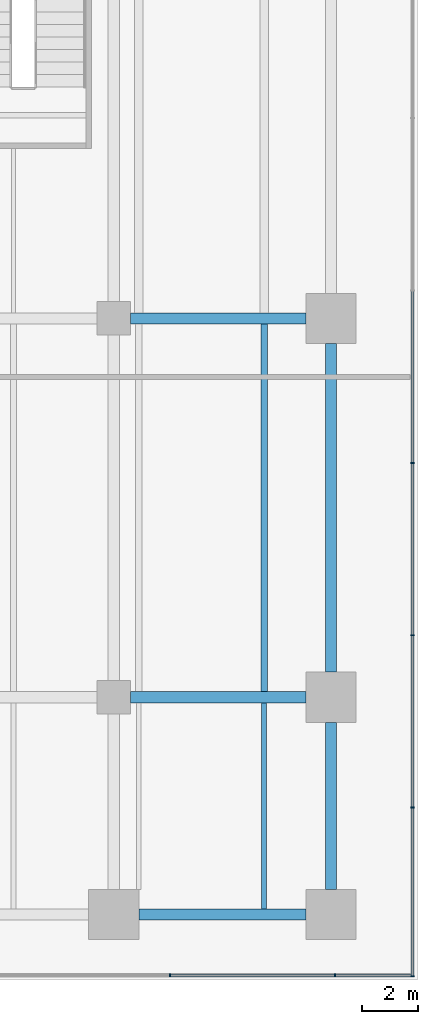
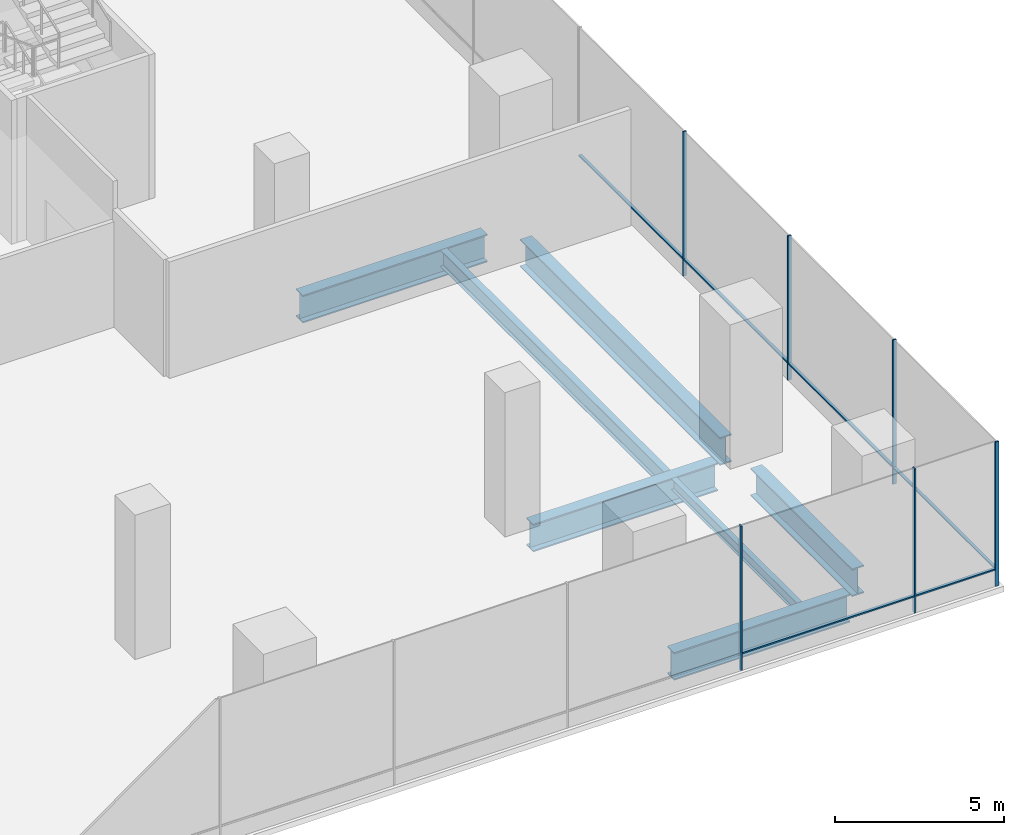
# One storey, part 15 of 26: 12 members, 7 beams, 2 elements without a shape of their own.
"""IFC4 building model written with IfcOpenShell, lengths in metres."""

import ifcopenshell
import ifcopenshell.guid

model = None  # the IFC model being written
_history = None  # IfcOwnerHistory: only IFC2X3 demands one
_inside = {}  # id of a spatial element -> (the spatial element, [elements in it])
_under = {}  # id of a project, library or spatial element -> (it, [spatial elements below it])
_declared = {}  # id of a project -> (the project, [libraries it declares])
_typed = {}  # id of a type object -> (the type object, [elements of that type])
_made_of = {}  # id of a material, layer set ... -> (it, [elements and type objects made of it])


def new_model(schema):
    """Start an empty IFC model of exactly this schema.

    Asked for "IFC4X3", IfcOpenShell would pick the latest addendum, in which some entities
    have other attributes; the version numbers below select the first issue.
    IFC2X3 requires an IfcOwnerHistory on every rooted entity: one is made here for all.
    """
    global model, _history
    if schema == "IFC4X3":
        model = ifcopenshell.file(schema_version=(4, 3, 0, 0))
    else:
        model = ifcopenshell.file(schema=schema)
    _inside.clear()
    _under.clear()
    _declared.clear()
    _typed.clear()
    _made_of.clear()
    _history = None
    if model.schema == "IFC2X3":
        org = make("IfcOrganization", Name="unknown")
        user = make(
            "IfcPersonAndOrganization",
            ThePerson=make("IfcPerson", FamilyName="unknown"),
            TheOrganization=org,
        )
        app = make(
            "IfcApplication",
            ApplicationDeveloper=org,
            Version="unknown",
            ApplicationFullName="unknown",
            ApplicationIdentifier="unknown",
        )
        _history = make(
            "IfcOwnerHistory",
            OwningUser=user,
            OwningApplication=app,
            ChangeAction="ADDED",
            CreationDate=0,
        )
    return model


def make(cls, **values):
    """One entity of the class cls with the attributes given. An attribute that is None is left unset."""
    return model.create_entity(
        cls, **{name: value for name, value in values.items() if value is not None}
    )


def rooted(cls, **values):
    """An entity with a GlobalId (a new one), such as an element, a storey or a relation."""
    return make(cls, GlobalId=ifcopenshell.guid.new(), OwnerHistory=_history, **values)


def si_unit(unit_type, name, prefix=None):
    """IfcSIUnit, for example si_unit("LENGTHUNIT", "METRE", prefix="MILLI")."""
    return make("IfcSIUnit", UnitType=unit_type, Prefix=prefix, Name=name)


def assignment(units):
    """IfcUnitAssignment: the units of a project."""
    return None if units is None else make("IfcUnitAssignment", Units=units)


def point(xyz):
    """IfcCartesianPoint."""
    return None if xyz is None else make("IfcCartesianPoint", Coordinates=xyz)


def direction(xyz):
    """IfcDirection."""
    return None if xyz is None else make("IfcDirection", DirectionRatios=xyz)


def frame(location, z_axis=None, x_axis=None):
    """IfcAxis2Placement3D, a coordinate frame: its origin and axes. An axis left out is left unset."""
    return make(
        "IfcAxis2Placement3D",
        Location=point(location),
        Axis=direction(z_axis),
        RefDirection=direction(x_axis),
    )


def frame_2d(location, x_axis=None):
    """IfcAxis2Placement2D, a coordinate frame in the plane: its origin and x axis."""
    return make(
        "IfcAxis2Placement2D", Location=point(location), RefDirection=direction(x_axis)
    )


def origin():
    """The frame at (0, 0, 0) with its axes left unset."""
    return frame((0.0, 0.0, 0.0))


def origin_2d():
    """The frame at (0, 0) in the plane with its x axis left unset."""
    return frame_2d((0.0, 0.0))


def place(relative_to, where):
    """IfcLocalPlacement: puts the frame where relative to a parent placement (None: the world)."""
    return make(
        "IfcLocalPlacement", PlacementRelTo=relative_to, RelativePlacement=where
    )


def context(
    kind, dimensions, precision=None, world=None, true_north=None, identifier=None
):
    """IfcGeometricRepresentationContext, for example the 3D "Model" context."""
    return make(
        "IfcGeometricRepresentationContext",
        ContextIdentifier=identifier,
        ContextType=kind,
        CoordinateSpaceDimension=dimensions,
        Precision=precision,
        WorldCoordinateSystem=world,
        TrueNorth=true_north,
    )


def subcontext(parent, identifier, kind, view, scale=None):
    """IfcGeometricRepresentationSubContext, for example "Body" below "Model"."""
    return make(
        "IfcGeometricRepresentationSubContext",
        ContextIdentifier=identifier,
        ContextType=kind,
        ParentContext=parent,
        TargetScale=scale,
        TargetView=view,
    )


def project(units=None, contexts=None):
    """IfcProject with its units and contexts."""
    return rooted(
        "IfcProject",
        Name="project",
        RepresentationContexts=contexts,
        UnitsInContext=assignment(units),
    )


def spatial(cls, under=None, at=None, **own):
    """A site, building, storey or space (cls), placed at a placement, below another one or the project."""
    s = rooted(cls, ObjectPlacement=at, **own)
    if under is not None:
        _under.setdefault(under.id(), (under, []))[1].append(s)
    return s


def profile(cls, at=None, kind="AREA", **sizes):
    """A parametric profile (cls). Its sizes go by their IFC names, for example OverallWidth=200.0."""
    return make(cls, ProfileType=kind, Position=at, **sizes)


def rectangle(**sizes):
    """IfcRectangleProfileDef."""
    return profile("IfcRectangleProfileDef", **sizes)


def i_section(**sizes):
    """IfcIShapeProfileDef."""
    return profile("IfcIShapeProfileDef", **sizes)


def extrude(swept, where, along, depth):
    """IfcExtrudedAreaSolid: the profile swept, set in the frame where, extruded along a direction by depth."""
    return make(
        "IfcExtrudedAreaSolid",
        SweptArea=swept,
        Position=where,
        ExtrudedDirection=direction(along),
        Depth=depth,
    )


def shape(context_of_items, identifier, shape_type, items):
    """IfcShapeRepresentation: the items that make up one representation, for example the "Body"."""
    return make(
        "IfcShapeRepresentation",
        ContextOfItems=context_of_items,
        RepresentationIdentifier=identifier,
        RepresentationType=shape_type,
        Items=items,
    )


def material(Name=None, Category=None):
    """IfcMaterial."""
    return make("IfcMaterial", Name=Name, Category=Category)


def layer(
    of_material, thickness, ventilated=None, Name=None, Category=None, Priority=None
):
    """IfcMaterialLayer: one layer of a wall or slab, of a material (None: an air gap)."""
    return make(
        "IfcMaterialLayer",
        Material=of_material,
        LayerThickness=thickness,
        IsVentilated=ventilated,
        Name=Name,
        Category=Category,
        Priority=Priority,
    )


def layer_set(layers, Name=None):
    """IfcMaterialLayerSet."""
    return make("IfcMaterialLayerSet", MaterialLayers=layers, LayerSetName=Name)


def material_profile(
    of_material, cross_section, Name=None, Category=None, Priority=None
):
    """IfcMaterialProfile: a cross section and its material."""
    return make(
        "IfcMaterialProfile",
        Name=Name,
        Material=of_material,
        Profile=cross_section,
        Priority=Priority,
        Category=Category,
    )


def profile_set(profiles, Name=None, composite=None):
    """IfcMaterialProfileSet."""
    return make(
        "IfcMaterialProfileSet",
        Name=Name,
        MaterialProfiles=profiles,
        CompositeProfile=composite,
    )


def made_of(thing, what):
    """Note that an element or type object is made of a material, layer set ...; save() writes the relation."""
    if what is not None:
        _made_of.setdefault(what.id(), (what, []))[1].append(thing)
    return thing


def type_object(cls, material=None, **own):
    """A type object (cls), such as IfcWallType, which elements share."""
    return made_of(rooted(cls, **own), material)


def element(
    cls,
    number,
    at=None,
    inside=None,
    cuts=None,
    type_object=None,
    material=None,
    context=None,
    identifier="Body",
    shape_type=None,
    held_by="IfcProductDefinitionShape",
    body=None,
    shapes=None,
    **own,
):
    """One element of the class cls, such as IfcWall. Its Tag is "e" and its number.

    at: its placement. inside: the storey or other place that contains it. cuts: it is an
    opening in that element (IfcRelVoidsElement). A single representation is given by context,
    identifier, shape_type and body (its items); several are given by shapes. held_by: the class
    of the entity that holds the representations. save() writes the other relations.
    """
    e = rooted(cls, Tag="e%d" % number, ObjectPlacement=at, **own)
    if body is not None:
        shapes = [shape(context, identifier, shape_type, body)]
    if shapes is not None:
        e.Representation = make(held_by, Representations=shapes)
    if inside is not None:
        _inside.setdefault(inside.id(), (inside, []))[1].append(e)
    if cuts is not None:
        rooted(
            "IfcRelVoidsElement", RelatingBuildingElement=cuts, RelatedOpeningElement=e
        )
    if type_object is not None:
        _typed.setdefault(type_object.id(), (type_object, []))[1].append(e)
    return made_of(e, material)


def aggregate(whole, parts):
    """IfcRelAggregates: a whole, such as a stair, and the parts it consists of."""
    return rooted("IfcRelAggregates", RelatingObject=whole, RelatedObjects=parts)


def save(model, path):
    """Write the relations noted so far, then the file.

    IfcRelAggregates (storeys below a building ...), IfcRelContainedInSpatialStructure (elements
    in a storey), IfcRelDefinesByType, IfcRelAssociatesMaterial and IfcRelDeclares: one each for
    every whole, place, type object, material and project.
    """
    for whole, parts in _under.values():
        aggregate(whole, parts)
    for where, things in _inside.values():
        rooted(
            "IfcRelContainedInSpatialStructure",
            RelatedElements=things,
            RelatingStructure=where,
        )
    for kind, things in _typed.values():
        rooted("IfcRelDefinesByType", RelatedObjects=things, RelatingType=kind)
    for what, things in _made_of.values():
        rooted("IfcRelAssociatesMaterial", RelatedObjects=things, RelatingMaterial=what)
    for by, libraries in _declared.values():
        rooted("IfcRelDeclares", RelatingContext=by, RelatedDefinitions=libraries)
    model.write(path)


model = new_model("IFC4")

# Units and contexts
model_context = context("Model", 3, precision=1e-05, world=origin(), true_north=direction((0.0, 1.0)))
body_context = subcontext(model_context, "Body", "Model", "MODEL_VIEW")
ifc_project = project(units=[si_unit("LENGTHUNIT", "METRE"), si_unit("AREAUNIT", "SQUARE_METRE"), si_unit("VOLUMEUNIT", "CUBIC_METRE"), si_unit("PLANEANGLEUNIT", "RADIAN"), si_unit("MASSUNIT", "GRAM", prefix="KILO")], contexts=[model_context])

# Site, building, storey
site_placement = place(None, origin())
site = spatial("IfcSite", under=ifc_project, at=site_placement, CompositionType="ELEMENT")
building_placement = place(site_placement, origin())
building = spatial("IfcBuilding", under=site, at=building_placement, Name="Rattan Terrace Tower", CompositionType="ELEMENT")
storey_placement = place(building_placement, frame((0.0, 0.0, 7.199951171875)))
storey = spatial("IfcBuildingStorey", under=building, at=storey_placement, Name="L01", CompositionType="ELEMENT", Elevation=7.199951171875)

# Beams
ifc_material_1 = material(Name="Steel S355", Category="steel")
ifc_material_profile_1 = material_profile(ifc_material_1, i_section(OverallWidth=0.179931640625, OverallDepth=0.39990234375, WebThickness=0.008544921875, FlangeThickness=0.013427734375, FilletRadius=0.02099609375, at=origin_2d()), Name="IPE 400")
ifc_profile_set_1 = profile_set([ifc_material_profile_1], Name="Steel S355")
beam_type_1 = type_object("IfcBeamType", Name="Frame floor beam IPE 400", PredefinedType="JOIST", material=ifc_profile_set_1)
beam_1_placement = place(storey_placement, frame((31.5, -34.699951171875, -0.39990234375), z_axis=(0.0, 1.0, 0.0), x_axis=(-1.0, 0.0, 0.0)))
element("IfcBeam", 1, at=beam_1_placement, inside=storey, type_object=beam_type_1, Name="bm-L01-012", PredefinedType="JOIST", context=body_context, shape_type="SweptSolid", body=[
    extrude(i_section(OverallWidth=0.179931640625, OverallDepth=0.39990234375, WebThickness=0.008544921875, FlangeThickness=0.013427734375, FilletRadius=0.02099609375, at=origin_2d()), origin(), (0.0, 0.0, 1.0), 7.39990234375),
])
ifc_material_2 = material(Name="Steel S355", Category="steel")
ifc_material_profile_2 = material_profile(ifc_material_2, i_section(OverallWidth=0.22412109375, OverallDepth=0.610107421875, WebThickness=0.014892578125, FlangeThickness=0.02392578125, FilletRadius=0.02392578125, at=origin_2d()), Name="IPE O 600")
ifc_profile_set_2 = profile_set([ifc_material_profile_2], Name="Steel S355")
beam_type_2 = type_object("IfcBeamType", Name="Frame floor beam IPE O 600", PredefinedType="JOIST", material=ifc_profile_set_2)
beam_2_placement = place(storey_placement, frame((31.5, -26.89990234375, -0.5048828125), z_axis=(0.0, 1.0, 0.0), x_axis=(-1.0, 0.0, 0.0)))
element("IfcBeam", 2, at=beam_2_placement, inside=storey, type_object=beam_type_2, Name="bm-L01-026", PredefinedType="JOIST", context=body_context, shape_type="SweptSolid", body=[
    extrude(i_section(OverallWidth=0.22412109375, OverallDepth=0.610107421875, WebThickness=0.014892578125, FlangeThickness=0.02392578125, FilletRadius=0.02392578125, at=origin_2d()), origin(), (0.0, 0.0, 1.0), 13.199951171875),
])
ifc_material_3 = material(Name="Steel S460", Category="steel")
ifc_material_profile_3 = material_profile(ifc_material_3, i_section(OverallWidth=0.39990234375, OverallDepth=1.0, WebThickness=0.01806640625, FlangeThickness=0.044921875, at=origin_2d()), Name="PG 1000x400-18-45")
ifc_profile_set_3 = profile_set([ifc_material_profile_3], Name="Steel S460")
beam_type_3 = type_object("IfcBeamType", Name="Frame podium girder PG 1000x400-18-45", PredefinedType="USERDEFINED", material=ifc_profile_set_3)
for number, where, z_axis, x_axis, name in (
    (3, (27.0, -34.89990234375, -0.699951171875), (1.0, 0.0, 0.0), (0.0, 1.0, 0.0), "gdr-L01-006"),
    (4, (33.89990234375, -34.0, -0.699951171875), (0.0, 1.0, 0.0), (-1.0, 0.0, 0.0), "gdr-L01-013"),
):
    element("IfcBeam", number, at=place(storey_placement, frame(where, z_axis=z_axis, x_axis=x_axis)), inside=storey, type_object=beam_type_3, Name=name, ObjectType="PODIUM GIRDER", PredefinedType="USERDEFINED", context=body_context, shape_type="SweptSolid", body=[
        extrude(i_section(OverallWidth=0.39990234375, OverallDepth=1.0, WebThickness=0.01806640625, FlangeThickness=0.044921875, at=origin_2d()), origin(), (0.0, 0.0, 1.0), 6.0),
    ])
beam_3_placement = place(storey_placement, frame((26.699951171875, -27.10009765625, -0.699951171875), z_axis=(1.0, 0.0, 0.0), x_axis=(0.0, 1.0, 0.0)))
element("IfcBeam", 5, at=beam_3_placement, inside=storey, type_object=beam_type_3, Name="gdr-L01-019", ObjectType="PODIUM GIRDER", PredefinedType="USERDEFINED", context=body_context, shape_type="SweptSolid", body=[
    extrude(i_section(OverallWidth=0.39990234375, OverallDepth=1.0, WebThickness=0.01806640625, FlangeThickness=0.044921875, at=origin_2d()), origin(), (0.0, 0.0, 1.0), 6.300048828125),
])
beam_4_placement = place(storey_placement, frame((33.89990234375, -26.199951171875, -0.699951171875), z_axis=(0.0, 1.0, 0.0), x_axis=(-1.0, 0.0, 0.0)))
element("IfcBeam", 6, at=beam_4_placement, inside=storey, type_object=beam_type_3, Name="gdr-L01-026", ObjectType="PODIUM GIRDER", PredefinedType="USERDEFINED", context=body_context, shape_type="SweptSolid", body=[
    extrude(i_section(OverallWidth=0.39990234375, OverallDepth=1.0, WebThickness=0.01806640625, FlangeThickness=0.044921875, at=origin_2d()), origin(), (0.0, 0.0, 1.0), 11.800048828125),
])
beam_5_placement = place(storey_placement, frame((26.699951171875, -13.5, -0.699951171875), z_axis=(1.0, 0.0, 0.0), x_axis=(0.0, 1.0, 0.0)))
element("IfcBeam", 7, at=beam_5_placement, inside=storey, type_object=beam_type_3, Name="gdr-L01-032", ObjectType="PODIUM GIRDER", PredefinedType="USERDEFINED", context=body_context, shape_type="SweptSolid", body=[
    extrude(i_section(OverallWidth=0.39990234375, OverallDepth=1.0, WebThickness=0.01806640625, FlangeThickness=0.044921875, at=origin_2d()), origin(), (0.0, 0.0, 1.0), 6.300048828125),
])

# Curtain wall, members
ifc_material_4 = material(Name="Aluminium and glass", Category="aluminium")
ifc_layer = layer(ifc_material_4, 0.1201171875)
ifc_layer_set = layer_set([ifc_layer], Name="Station Storefront Curtain Wall")
curtain_wall_type = type_object("IfcCurtainWallType", Name="Station Storefront Curtain Wall", PredefinedType="NOTDEFINED", material=ifc_layer_set)
curtain_wall_1_placement = place(storey_placement, origin())
curtain_wall_1 = element("IfcCurtainWall", 8, at=curtain_wall_1_placement, inside=storey, type_object=curtain_wall_type, Name="Storefront curtain wall L01-1", PredefinedType="NOTDEFINED")
ifc_material_5 = material(Name="Aluminium", Category="aluminium")
ifc_material_profile_4 = material_profile(ifc_material_5, rectangle(XDim=0.050048828125, YDim=0.1201171875, at=origin_2d()), Name="Aluminium 50x120")
ifc_profile_set_4 = profile_set([ifc_material_profile_4], Name="Aluminium")
member_type_1 = type_object("IfcMemberType", Name="Storefront CW Mullion 50x120", PredefinedType="MULLION", material=ifc_profile_set_4)
member_1_placement = place(storey_placement, frame((36.830078125, -37.114990234375, 0.0), z_axis=(0.0, 0.0, 1.0), x_axis=(0.0, 1.0, 0.0)))
member_1 = element("IfcMember", 9, at=member_1_placement, type_object=member_type_1, Name="Mullion cwl-L01-001.1", PredefinedType="MULLION", context=body_context, shape_type="SweptSolid", body=[
    extrude(rectangle(XDim=0.050048828125, YDim=0.1201171875, at=origin_2d()), origin(), (0.0, 0.0, 1.0), 5.199951171875),
])
member_2_placement = place(storey_placement, frame((36.830078125, -31.06201171875, 0.0), z_axis=(0.0, 0.0, 1.0), x_axis=(0.0, 1.0, 0.0)))
member_2 = element("IfcMember", 10, at=member_2_placement, type_object=member_type_1, Name="Mullion cwl-L01-001.2", PredefinedType="MULLION", context=body_context, shape_type="SweptSolid", body=[
    extrude(rectangle(XDim=0.050048828125, YDim=0.1201171875, at=origin_2d()), origin(), (0.0, 0.0, 1.0), 5.199951171875),
])
member_3_placement = place(storey_placement, frame((36.830078125, -24.8740234375, 0.0), z_axis=(0.0, 0.0, 1.0), x_axis=(0.0, 1.0, 0.0)))
member_3 = element("IfcMember", 11, at=member_3_placement, type_object=member_type_1, Name="Mullion cwl-L01-001.3", PredefinedType="MULLION", context=body_context, shape_type="SweptSolid", body=[
    extrude(rectangle(XDim=0.050048828125, YDim=0.1201171875, at=origin_2d()), origin(), (0.0, 0.0, 1.0), 5.199951171875),
])
member_4_placement = place(storey_placement, frame((36.830078125, -18.68603515625, 0.0), z_axis=(0.0, 0.0, 1.0), x_axis=(0.0, 1.0, 0.0)))
member_4 = element("IfcMember", 12, at=member_4_placement, type_object=member_type_1, Name="Mullion cwl-L01-001.4", PredefinedType="MULLION", context=body_context, shape_type="SweptSolid", body=[
    extrude(rectangle(XDim=0.050048828125, YDim=0.1201171875, at=origin_2d()), origin(), (0.0, 0.0, 1.0), 5.199951171875),
])

curtain_wall_2_placement = place(storey_placement, origin())
curtain_wall_2 = element("IfcCurtainWall", 13, at=curtain_wall_2_placement, inside=storey, type_object=curtain_wall_type, Name="Storefront curtain wall L01-4", PredefinedType="NOTDEFINED")
member_5_placement = place(storey_placement, frame((28.1201171875, -37.080078125, 0.0), z_axis=(0.0, 0.0, 1.0), x_axis=(1.0, 0.0, 0.0)))
member_5 = element("IfcMember", 14, at=member_5_placement, type_object=member_type_1, Name="Mullion cwl-L01-004.12", PredefinedType="MULLION", context=body_context, shape_type="SweptSolid", body=[
    extrude(rectangle(XDim=0.050048828125, YDim=0.1201171875, at=origin_2d()), origin(), (0.0, 0.0, 1.0), 5.199951171875),
])
member_6_placement = place(storey_placement, frame((34.0400390625, -37.080078125, 0.0), z_axis=(0.0, 0.0, 1.0), x_axis=(1.0, 0.0, 0.0)))
member_6 = element("IfcMember", 15, at=member_6_placement, type_object=member_type_1, Name="Mullion cwl-L01-004.13", PredefinedType="MULLION", context=body_context, shape_type="SweptSolid", body=[
    extrude(rectangle(XDim=0.050048828125, YDim=0.1201171875, at=origin_2d()), origin(), (0.0, 0.0, 1.0), 5.199951171875),
])

# Member
ifc_material_6 = material(Name="Aluminium", Category="aluminium")
ifc_material_profile_5 = material_profile(ifc_material_6, rectangle(XDim=0.10009765625, YDim=0.050048828125, at=origin_2d()), Name="Aluminium 100x50")
ifc_profile_set_5 = profile_set([ifc_material_profile_5], Name="Aluminium")
member_type_2 = type_object("IfcMemberType", Name="Storefront CW Transom 100x50", PredefinedType="USERDEFINED", material=ifc_profile_set_5)
member_7_placement = place(storey_placement, frame((36.830078125, -37.090087890625, 0.60009765625), z_axis=(0.0, 1.0, 0.0), x_axis=(-1.0, 0.0, 0.0)))
member_7 = element("IfcMember", 16, at=member_7_placement, type_object=member_type_2, Name="Transom cwl-L01-001.1", ObjectType="TRANSOM", PredefinedType="USERDEFINED", context=body_context, shape_type="SweptSolid", body=[
    extrude(rectangle(XDim=0.10009765625, YDim=0.050048828125, at=origin_2d()), origin(), (0.0, 0.0, 1.0), 6.003173828125),
])

member_8_placement = place(storey_placement, frame((36.830078125, -31.037109375, 0.60009765625), z_axis=(0.0, 1.0, 0.0), x_axis=(-1.0, 0.0, 0.0)))
member_8 = element("IfcMember", 17, at=member_8_placement, type_object=member_type_2, Name="Transom cwl-L01-001.2", ObjectType="TRANSOM", PredefinedType="USERDEFINED", context=body_context, shape_type="SweptSolid", body=[
    extrude(rectangle(XDim=0.10009765625, YDim=0.050048828125, at=origin_2d()), origin(), (0.0, 0.0, 1.0), 6.13818359375),
])

member_9_placement = place(storey_placement, frame((36.830078125, -24.84912109375, 0.60009765625), z_axis=(0.0, 1.0, 0.0), x_axis=(-1.0, 0.0, 0.0)))
member_9 = element("IfcMember", 18, at=member_9_placement, type_object=member_type_2, Name="Transom cwl-L01-001.3", ObjectType="TRANSOM", PredefinedType="USERDEFINED", context=body_context, shape_type="SweptSolid", body=[
    extrude(rectangle(XDim=0.10009765625, YDim=0.050048828125, at=origin_2d()), origin(), (0.0, 0.0, 1.0), 6.13818359375),
])

member_10_placement = place(storey_placement, frame((36.830078125, -18.660888671875, 0.60009765625), z_axis=(0.0, 1.0, 0.0), x_axis=(-1.0, 0.0, 0.0)))
member_10 = element("IfcMember", 19, at=member_10_placement, type_object=member_type_2, Name="Transom cwl-L01-001.4", ObjectType="TRANSOM", PredefinedType="USERDEFINED", context=body_context, shape_type="SweptSolid", body=[
    extrude(rectangle(XDim=0.10009765625, YDim=0.050048828125, at=origin_2d()), origin(), (0.0, 0.0, 1.0), 6.137939453125),
])

aggregate(curtain_wall_1, [member_1, member_2, member_3, member_4, member_7, member_8, member_9, member_10])

member_11_placement = place(storey_placement, frame((28.14501953125, -37.080078125, 0.60009765625), z_axis=(1.0, 0.0, 0.0), x_axis=(0.0, 1.0, 0.0)))
member_11 = element("IfcMember", 20, at=member_11_placement, type_object=member_type_2, Name="Transom cwl-L01-004.12", ObjectType="TRANSOM", PredefinedType="USERDEFINED", context=body_context, shape_type="SweptSolid", body=[
    extrude(rectangle(XDim=0.10009765625, YDim=0.050048828125, at=origin_2d()), origin(), (0.0, 0.0, 1.0), 5.869873046875),
])

member_12_placement = place(storey_placement, frame((34.06494140625, -37.080078125, 0.60009765625), z_axis=(1.0, 0.0, 0.0), x_axis=(0.0, 1.0, 0.0)))
member_12 = element("IfcMember", 21, at=member_12_placement, type_object=member_type_2, Name="Transom cwl-L01-004.13", ObjectType="TRANSOM", PredefinedType="USERDEFINED", context=body_context, shape_type="SweptSolid", body=[
    extrude(rectangle(XDim=0.10009765625, YDim=0.050048828125, at=origin_2d()), origin(), (0.0, 0.0, 1.0), 2.705078125),
])

aggregate(curtain_wall_2, [member_5, member_6, member_11, member_12])

save(model, "model.ifc")
